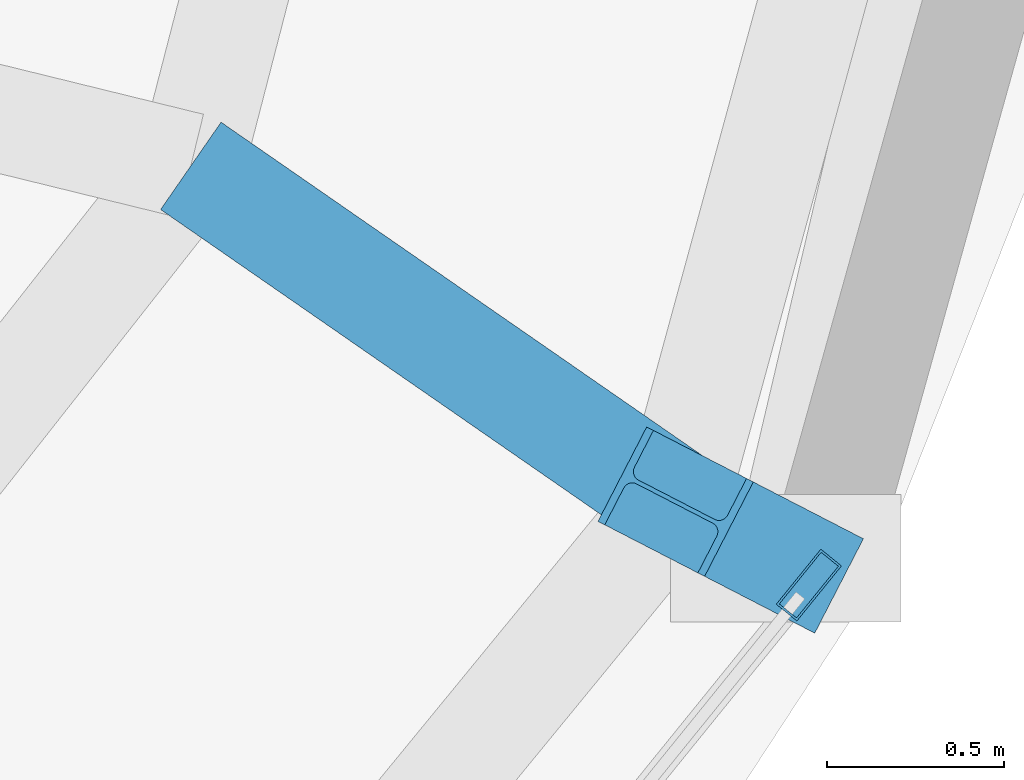
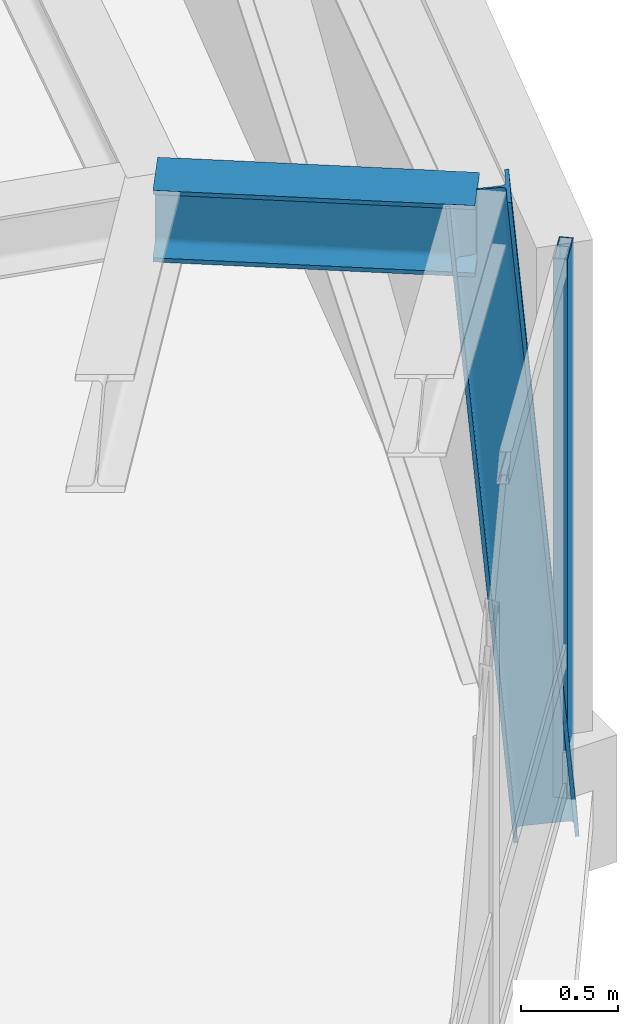
# One storey, part 5 of 14: 2 members, 1 beam, 1 element without a shape of its own.
"""IFC4 building model written with IfcOpenShell, lengths in metres."""

from ifc_helpers import new_model, si_unit, direction, frame, origin, origin_2d, place, context, subcontext, project, spatial, hollow_rectangle, i_section, extrude, material, layer, layer_set, material_profile, profile_set, type_object, element, aggregate, save


model = new_model("IFC4")

# Units and contexts
model_context = context("Model", 3, precision=1e-05, world=origin(), true_north=direction((0.0, 1.0)))
body_context = subcontext(model_context, "Body", "Model", "MODEL_VIEW")
ifc_project = project(units=[si_unit("LENGTHUNIT", "METRE"), si_unit("AREAUNIT", "SQUARE_METRE"), si_unit("VOLUMEUNIT", "CUBIC_METRE"), si_unit("PLANEANGLEUNIT", "RADIAN"), si_unit("MASSUNIT", "GRAM", prefix="KILO"), si_unit("THERMODYNAMICTEMPERATUREUNIT", "KELVIN"), si_unit("POWERUNIT", "WATT")], contexts=[model_context])

# Site, building, storey
site_placement = place(None, origin())
site = spatial("IfcSite", under=ifc_project, at=site_placement, CompositionType="ELEMENT")
building_placement = place(site_placement, origin())
building = spatial("IfcBuilding", under=site, at=building_placement, Name="Ocrelia Relay Tower", CompositionType="ELEMENT")
storey_placement = place(building_placement, frame((0.0, 0.0, 288.0)))
storey = spatial("IfcBuildingStorey", under=building, at=storey_placement, Name="L72", CompositionType="ELEMENT", Elevation=288.0)

# Beam
ifc_material_1 = material(Name="Steel S355", Category="steel")
ifc_material_profile_1 = material_profile(ifc_material_1, i_section(OverallWidth=0.300048828125, OverallDepth=0.449951171875, WebThickness=0.013916015625, FlangeThickness=0.02587890625, FilletRadius=0.027099609375, at=origin_2d()), Name="HEB 450")
ifc_profile_set_1 = profile_set([ifc_material_profile_1], Name="Steel S355")
beam_type = type_object("IfcBeamType", Name="BM-HEB450", PredefinedType="BEAM", material=ifc_profile_set_1)
beam_placement = place(storey_placement, frame((46.973876953125, 19.3037109375, 3.52490234375), z_axis=(-0.822065541841, 0.569392873962, 0.0), x_axis=(-0.569392873962, -0.822065541841, 0.0)))
element("IfcBeam", 1, at=beam_placement, inside=storey, type_object=beam_type, Name="L72 Crown Step Radial Beam ST10", PredefinedType="BEAM", context=body_context, shape_type="SweptSolid", body=[
    extrude(i_section(OverallWidth=0.300048828125, OverallDepth=0.449951171875, WebThickness=0.013916015625, FlangeThickness=0.02587890625, FilletRadius=0.027099609375, at=origin_2d()), origin(), (0.0, 0.0, 1.0), 1.665771484375),
])

# Curtain wall, member
ifc_material_2 = material(Name="Aluminium and solar-control low-E glass", Category="aluminium")
ifc_layer = layer(ifc_material_2, 0.179931640625, Name="Aluminium and solar-control low-E glass")
ifc_layer_set = layer_set([ifc_layer], Name="Aluminium and solar-control low-E glass")
curtain_wall_type = type_object("IfcCurtainWallType", Name="CW-SYS-CROWN-PT", PredefinedType="NOTDEFINED", material=ifc_layer_set)
curtain_wall_placement = place(storey_placement, origin())
curtain_wall = element("IfcCurtainWall", 2, at=curtain_wall_placement, inside=storey, type_object=curtain_wall_type, Name="L72 Faceted Glass-Point Crown Curtain Wall 09", PredefinedType="NOTDEFINED")
ifc_material_3 = material(Name="Anodised bronze aluminium", Category="aluminium")
ifc_material_profile_2 = material_profile(ifc_material_3, hollow_rectangle(XDim=0.074951171875, YDim=0.199951171875, WallThickness=0.006103515625, at=origin_2d()), Name="CW-MUL-200x75")
ifc_profile_set_2 = profile_set([ifc_material_profile_2], Name="Anodised bronze aluminium")
member_type_1 = type_object("IfcMemberType", Name="CW-SYS-CROWN-PT-MUL", PredefinedType="MULLION", material=ifc_profile_set_2)
member_1_placement = place(storey_placement, frame((47.35009765625, 19.068115234375, 0.0), z_axis=(0.0, 0.0, 1.0), x_axis=(-0.776998377229, 0.629502598711, 0.0)))
member_1 = element("IfcMember", 3, at=member_1_placement, type_object=member_type_1, Name="CW-CR mullion 5", PredefinedType="MULLION", context=body_context, shape_type="SweptSolid", body=[
    extrude(hollow_rectangle(XDim=0.074951171875, YDim=0.199951171875, WallThickness=0.006103515625, at=origin_2d()), origin(), (0.0, 0.0, 1.0), 3.389892578125),
])
aggregate(curtain_wall, [member_1])

# Member
ifc_material_profile_3 = material_profile(ifc_material_1, i_section(OverallWidth=0.300048828125, OverallDepth=0.340087890625, WebThickness=0.011962890625, FlangeThickness=0.021484375, FilletRadius=0.027099609375, at=origin_2d()), Name="HEB 340")
ifc_profile_set_3 = profile_set([ifc_material_profile_3], Name="Steel S355")
member_type_2 = type_object("IfcMemberType", Name="MB-CROWN-RIB", PredefinedType="STRUT", material=ifc_profile_set_3)
member_2_placement = place(storey_placement, frame((47.284912109375, 19.143310546875, -0.25), z_axis=(-0.077462886442, 0.039947501093, 0.996194608689), x_axis=(-0.458340798512, -0.888776525578, 0.0)))
element("IfcMember", 4, at=member_2_placement, inside=storey, type_object=member_type_2, Name="L72 Crown Faceted Structural Strut Rib CR10", PredefinedType="STRUT", context=body_context, shape_type="SweptSolid", body=[
    extrude(i_section(OverallWidth=0.300048828125, OverallDepth=0.340087890625, WebThickness=0.011962890625, FlangeThickness=0.021484375, FilletRadius=0.027099609375, at=origin_2d()), origin(), (0.0, 0.0, 1.0), 4.015380859375),
])

save(model, "model.ifc")
